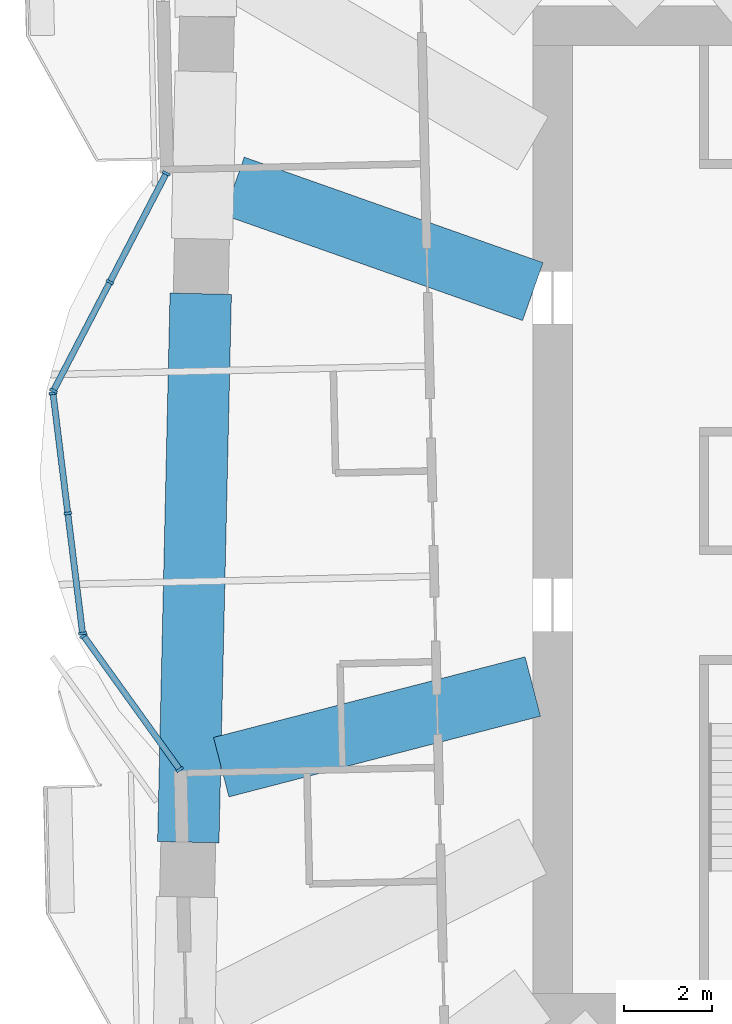
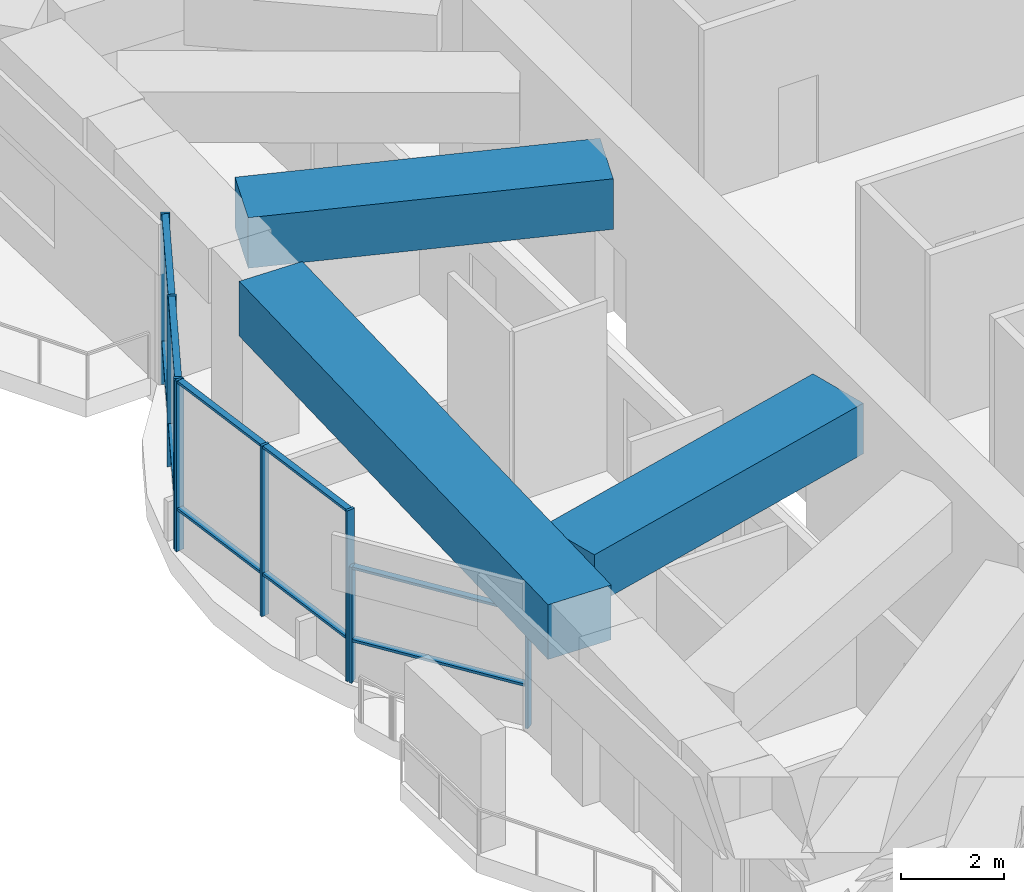
# One storey, part 2 of 17: 18 members, 3 beams, 3 elements without a shape of their own.
"""IFC4 building model written with IfcOpenShell, lengths in metres."""

from ifc_helpers import new_model, si_unit, direction, frame, origin, origin_2d, place, context, subcontext, project, spatial, rectangle, extrude, material, material_profile, profile_set, type_object, element, aggregate, save


model = new_model("IFC4")

# Units and contexts
model_context = context("Model", 3, precision=1e-05, world=origin(), true_north=direction((0.0, 1.0)))
body_context = subcontext(model_context, "Body", "Model", "MODEL_VIEW")
ifc_project = project(units=[si_unit("LENGTHUNIT", "METRE"), si_unit("AREAUNIT", "SQUARE_METRE"), si_unit("VOLUMEUNIT", "CUBIC_METRE"), si_unit("PLANEANGLEUNIT", "RADIAN"), si_unit("MASSUNIT", "GRAM", prefix="KILO")], contexts=[model_context])

# Site, building, storey
site_placement = place(None, origin())
site = spatial("IfcSite", under=ifc_project, at=site_placement, CompositionType="ELEMENT")
building_placement = place(site_placement, origin())
building = spatial("IfcBuilding", under=site, at=building_placement, Name="Mangrove Gate Tower", CompositionType="ELEMENT")
storey_placement = place(building_placement, frame((0.0, 0.0, 170.699951171875)))
storey = spatial("IfcBuildingStorey", under=building, at=storey_placement, Name="L43", CompositionType="ELEMENT", Elevation=170.699951171875)

# Curtain wall, members
ifc_material_1 = material(Name="Aluminium and glass curtain wall", Category="aluminium")
curtain_wall_type = type_object("IfcCurtainWallType", Name="Sky-lounge glazing wall", PredefinedType="NOTDEFINED", material=ifc_material_1)
curtain_wall_1_placement = place(storey_placement, origin())
curtain_wall_1 = element("IfcCurtainWall", 1, at=curtain_wall_1_placement, inside=storey, type_object=curtain_wall_type, Name="Sky-lounge glazing W9f1", PredefinedType="NOTDEFINED")
ifc_material_2 = material(Name="Aluminium alloy 6063-T6", Category="aluminium")
ifc_material_profile_1 = material_profile(ifc_material_2, rectangle(XDim=0.06005859375, YDim=0.179931640625, at=origin_2d()))
ifc_profile_set_1 = profile_set([ifc_material_profile_1], Name="Aluminium alloy 6063-T6")
member_type_1 = type_object("IfcMemberType", Name="Sky-lounge glazing mullion 60x180", PredefinedType="MULLION", material=ifc_profile_set_1)
member_1_placement = place(storey_placement, frame((-23.05224609375, 7.88671875, 0.0), z_axis=(0.0, 0.0, 1.0), x_axis=(-0.460628472605, -0.887593043137, 0.0)))
member_1 = element("IfcMember", 2, at=member_1_placement, type_object=member_type_1, Name="CWK mullion 1", PredefinedType="MULLION", context=body_context, shape_type="SweptSolid", body=[
    extrude(rectangle(XDim=0.06005859375, YDim=0.179931640625, at=origin_2d()), origin(), (0.0, 0.0, 1.0), 4.050048828125),
])
member_2_placement = place(storey_placement, frame((-24.337890625, 5.409423828125, 0.0), z_axis=(0.0, 0.0, 1.0), x_axis=(-0.460628472605, -0.887593043137, 0.0)))
member_2 = element("IfcMember", 3, at=member_2_placement, type_object=member_type_1, Name="CWK mullion 2", PredefinedType="MULLION", context=body_context, shape_type="SweptSolid", body=[
    extrude(rectangle(XDim=0.06005859375, YDim=0.179931640625, at=origin_2d()), origin(), (0.0, 0.0, 1.0), 4.050048828125),
])
member_3_placement = place(storey_placement, frame((-25.623291015625, 2.932373046875, 0.0), z_axis=(0.0, 0.0, 1.0), x_axis=(-0.460628472605, -0.887593043137, 0.0)))
member_3 = element("IfcMember", 4, at=member_3_placement, type_object=member_type_1, Name="CWK mullion 3", PredefinedType="MULLION", context=body_context, shape_type="SweptSolid", body=[
    extrude(rectangle(XDim=0.06005859375, YDim=0.179931640625, at=origin_2d()), origin(), (0.0, 0.0, 1.0), 4.050048828125),
])

curtain_wall_2_placement = place(storey_placement, origin())
curtain_wall_2 = element("IfcCurtainWall", 5, at=curtain_wall_2_placement, inside=storey, type_object=curtain_wall_type, Name="Sky-lounge glazing W9f2", PredefinedType="NOTDEFINED")
member_4_placement = place(storey_placement, frame((-25.633544921875, 2.8759765625, 0.0), z_axis=(0.0, 0.0, 1.0), x_axis=(0.122172286076, -0.992508908028, 0.0)))
member_4 = element("IfcMember", 6, at=member_4_placement, type_object=member_type_1, Name="CWK mullion 1", PredefinedType="MULLION", context=body_context, shape_type="SweptSolid", body=[
    extrude(rectangle(XDim=0.06005859375, YDim=0.179931640625, at=origin_2d()), origin(), (0.0, 0.0, 1.0), 4.050048828125),
])
member_5_placement = place(storey_placement, frame((-25.296630859375, 0.139892578125, 0.0), z_axis=(0.0, 0.0, 1.0), x_axis=(0.122172286076, -0.992508908028, 0.0)))
member_5 = element("IfcMember", 7, at=member_5_placement, type_object=member_type_1, Name="CWK mullion 2", PredefinedType="MULLION", context=body_context, shape_type="SweptSolid", body=[
    extrude(rectangle(XDim=0.06005859375, YDim=0.179931640625, at=origin_2d()), origin(), (0.0, 0.0, 1.0), 4.050048828125),
])
member_6_placement = place(storey_placement, frame((-24.9599609375, -2.59619140625, 0.0), z_axis=(0.0, 0.0, 1.0), x_axis=(0.122172286076, -0.992508908028, 0.0)))
member_6 = element("IfcMember", 8, at=member_6_placement, type_object=member_type_1, Name="CWK mullion 3", PredefinedType="MULLION", context=body_context, shape_type="SweptSolid", body=[
    extrude(rectangle(XDim=0.06005859375, YDim=0.179931640625, at=origin_2d()), origin(), (0.0, 0.0, 1.0), 4.050048828125),
])

curtain_wall_3_placement = place(storey_placement, origin())
curtain_wall_3 = element("IfcCurtainWall", 9, at=curtain_wall_3_placement, inside=storey, type_object=curtain_wall_type, Name="Sky-lounge glazing W9f3", PredefinedType="NOTDEFINED")
member_7_placement = place(storey_placement, frame((-24.938720703125, -2.650390625, 0.0), z_axis=(0.0, 0.0, 1.0), x_axis=(0.583670260779, -0.811990779925, 0.0)))
member_7 = element("IfcMember", 10, at=member_7_placement, type_object=member_type_1, Name="CWK mullion 1", PredefinedType="MULLION", context=body_context, shape_type="SweptSolid", body=[
    extrude(rectangle(XDim=0.06005859375, YDim=0.179931640625, at=origin_2d()), origin(), (0.0, 0.0, 1.0), 2.75),
])
member_8_placement = place(storey_placement, frame((-22.74658203125, -5.7001953125, 0.0), z_axis=(0.0, 0.0, 1.0), x_axis=(0.583670260779, -0.811990779925, 0.0)))
member_8 = element("IfcMember", 11, at=member_8_placement, type_object=member_type_1, Name="CWK mullion 2", PredefinedType="MULLION", context=body_context, shape_type="SweptSolid", body=[
    extrude(rectangle(XDim=0.06005859375, YDim=0.179931640625, at=origin_2d()), origin(), (0.0, 0.0, 1.0), 2.75),
])

# Member
ifc_material_3 = material(Name="Aluminium alloy 6063-T6", Category="aluminium")
ifc_material_profile_2 = material_profile(ifc_material_3, rectangle(XDim=0.06005859375, YDim=0.139892578125, at=origin_2d()))
ifc_profile_set_2 = profile_set([ifc_material_profile_2], Name="Aluminium alloy 6063-T6")
member_type_2 = type_object("IfcMemberType", Name="Sky-lounge glazing transom 60x140", PredefinedType="USERDEFINED", material=ifc_profile_set_2)
member_9_placement = place(storey_placement, frame((-23.066162109375, 7.860107421875, 1.0), z_axis=(-0.460609418104, -0.88760293147, 0.0), x_axis=(0.0, 0.0, 1.0)))
member_9 = element("IfcMember", 12, at=member_9_placement, type_object=member_type_2, Name="CWK transom 1.2", ObjectType="TRANSOM", PredefinedType="USERDEFINED", context=body_context, shape_type="SweptSolid", body=[
    extrude(rectangle(XDim=0.06005859375, YDim=0.139892578125, at=origin_2d()), origin(), (0.0, 0.0, 1.0), 2.730712890625),
])

member_10_placement = place(storey_placement, frame((-23.066162109375, 7.860107421875, 4.02001953125), z_axis=(-0.460609418104, -0.88760293147, 0.0), x_axis=(0.0, 0.0, 1.0)))
member_10 = element("IfcMember", 13, at=member_10_placement, type_object=member_type_2, Name="CWK transom 1.3", ObjectType="TRANSOM", PredefinedType="USERDEFINED", context=body_context, shape_type="SweptSolid", body=[
    extrude(rectangle(XDim=0.06005859375, YDim=0.139892578125, at=origin_2d()), origin(), (0.0, 0.0, 1.0), 2.730712890625),
])

member_11_placement = place(storey_placement, frame((-24.3515625, 5.3828125, 1.0), z_axis=(-0.460679849709, -0.887566378403, 0.0), x_axis=(0.0, 0.0, 1.0)))
member_11 = element("IfcMember", 14, at=member_11_placement, type_object=member_type_2, Name="CWK transom 2.2", ObjectType="TRANSOM", PredefinedType="USERDEFINED", context=body_context, shape_type="SweptSolid", body=[
    extrude(rectangle(XDim=0.06005859375, YDim=0.139892578125, at=origin_2d()), origin(), (0.0, 0.0, 1.0), 2.73095703125),
])

member_12_placement = place(storey_placement, frame((-24.3515625, 5.3828125, 4.02001953125), z_axis=(-0.460679849709, -0.887566378403, 0.0), x_axis=(0.0, 0.0, 1.0)))
member_12 = element("IfcMember", 15, at=member_12_placement, type_object=member_type_2, Name="CWK transom 2.3", ObjectType="TRANSOM", PredefinedType="USERDEFINED", context=body_context, shape_type="SweptSolid", body=[
    extrude(rectangle(XDim=0.06005859375, YDim=0.139892578125, at=origin_2d()), origin(), (0.0, 0.0, 1.0), 2.73095703125),
])

aggregate(curtain_wall_1, [member_1, member_2, member_3, member_9, member_10, member_11, member_12])

member_13_placement = place(storey_placement, frame((-25.6298828125, 2.84619140625, 1.0), z_axis=(0.122218313927, -0.992503241174, 0.0), x_axis=(0.0, 0.0, 1.0)))
member_13 = element("IfcMember", 16, at=member_13_placement, type_object=member_type_2, Name="CWK transom 1.2", ObjectType="TRANSOM", PredefinedType="USERDEFINED", context=body_context, shape_type="SweptSolid", body=[
    extrude(rectangle(XDim=0.06005859375, YDim=0.139892578125, at=origin_2d()), origin(), (0.0, 0.0, 1.0), 2.69677734375),
])

member_14_placement = place(storey_placement, frame((-25.6298828125, 2.84619140625, 4.02001953125), z_axis=(0.122218313927, -0.992503241174, 0.0), x_axis=(0.0, 0.0, 1.0)))
member_14 = element("IfcMember", 17, at=member_14_placement, type_object=member_type_2, Name="CWK transom 1.3", ObjectType="TRANSOM", PredefinedType="USERDEFINED", context=body_context, shape_type="SweptSolid", body=[
    extrude(rectangle(XDim=0.06005859375, YDim=0.139892578125, at=origin_2d()), origin(), (0.0, 0.0, 1.0), 2.69677734375),
])

member_15_placement = place(storey_placement, frame((-25.29296875, 0.110107421875, 1.0), z_axis=(0.122129132669, -0.992514219018, 0.0), x_axis=(0.0, 0.0, 1.0)))
member_15 = element("IfcMember", 18, at=member_15_placement, type_object=member_type_2, Name="CWK transom 2.2", ObjectType="TRANSOM", PredefinedType="USERDEFINED", context=body_context, shape_type="SweptSolid", body=[
    extrude(rectangle(XDim=0.06005859375, YDim=0.139892578125, at=origin_2d()), origin(), (0.0, 0.0, 1.0), 2.69677734375),
])

member_16_placement = place(storey_placement, frame((-25.29296875, 0.110107421875, 4.02001953125), z_axis=(0.122129132669, -0.992514219018, 0.0), x_axis=(0.0, 0.0, 1.0)))
member_16 = element("IfcMember", 19, at=member_16_placement, type_object=member_type_2, Name="CWK transom 2.3", ObjectType="TRANSOM", PredefinedType="USERDEFINED", context=body_context, shape_type="SweptSolid", body=[
    extrude(rectangle(XDim=0.06005859375, YDim=0.139892578125, at=origin_2d()), origin(), (0.0, 0.0, 1.0), 2.69677734375),
])

aggregate(curtain_wall_2, [member_4, member_5, member_6, member_13, member_14, member_15, member_16])

member_17_placement = place(storey_placement, frame((-24.921142578125, -2.674560546875, 1.0), z_axis=(0.583653741827, -0.812002653722, 0.0), x_axis=(0.0, 0.0, 1.0)))
member_17 = element("IfcMember", 20, at=member_17_placement, type_object=member_type_2, Name="CWK transom 1.2", ObjectType="TRANSOM", PredefinedType="USERDEFINED", context=body_context, shape_type="SweptSolid", body=[
    extrude(rectangle(XDim=0.06005859375, YDim=0.139892578125, at=origin_2d()), origin(), (0.0, 0.0, 1.0), 3.696044921875),
])

member_18_placement = place(storey_placement, frame((-24.921142578125, -2.674560546875, 2.719970703125), z_axis=(0.583653741827, -0.812002653722, 0.0), x_axis=(0.0, 0.0, 1.0)))
member_18 = element("IfcMember", 21, at=member_18_placement, type_object=member_type_2, Name="CWK transom 1.3", ObjectType="TRANSOM", PredefinedType="USERDEFINED", context=body_context, shape_type="SweptSolid", body=[
    extrude(rectangle(XDim=0.06005859375, YDim=0.139892578125, at=origin_2d()), origin(), (0.0, 0.0, 1.0), 3.696044921875),
])

aggregate(curtain_wall_3, [member_7, member_8, member_17, member_18])

# Beams
ifc_material_4 = material(Name="Concrete C60/75", Category="concrete")
ifc_material_profile_3 = material_profile(ifc_material_4, rectangle(XDim=1.39990234375, YDim=1.199951171875, at=origin_2d()))
ifc_profile_set_3 = profile_set([ifc_material_profile_3], Name="Concrete C60/75")
beam_type_1 = type_object("IfcBeamType", Name="Transfer girder RC 1400x1200 C60/75", PredefinedType="BEAM", material=ifc_profile_set_3)
beam_1_placement = place(storey_placement, frame((-14.699951171875, -3.806884765625, 3.449951171875), z_axis=(-0.96806784146, -0.25068836098, 0.0), x_axis=(0.25068836098, -0.96806784146, 0.0)))
element("IfcBeam", 22, at=beam_1_placement, inside=storey, type_object=beam_type_1, Name="Transfer girder L43 00", PredefinedType="BEAM", context=body_context, shape_type="SweptSolid", body=[
    extrude(rectangle(XDim=1.39990234375, YDim=1.199951171875, at=origin_2d()), origin(), (0.0, 0.0, 1.0), 7.334228515625),
])
beam_2_placement = place(storey_placement, frame((-14.699951171875, 5.19189453125, 3.449951171875), z_axis=(-0.942921024132, 0.3330164294, 0.0), x_axis=(-0.3330164294, -0.942921024132, 0.0)))
element("IfcBeam", 23, at=beam_2_placement, inside=storey, type_object=beam_type_1, Name="Transfer girder L43 29", PredefinedType="BEAM", context=body_context, shape_type="SweptSolid", body=[
    extrude(rectangle(XDim=1.39990234375, YDim=1.199951171875, at=origin_2d()), origin(), (0.0, 0.0, 1.0), 7.220458984375),
])
ifc_material_5 = material(Name="Concrete C60/75", Category="concrete")
ifc_material_profile_4 = material_profile(ifc_material_5, rectangle(XDim=1.39990234375, YDim=1.300048828125, at=origin_2d()))
ifc_profile_set_4 = profile_set([ifc_material_profile_4], Name="Concrete C60/75")
beam_type_2 = type_object("IfcBeamType", Name="Transfer girder RC 1400x1300 C60/75", PredefinedType="BEAM", material=ifc_profile_set_4)
beam_3_placement = place(storey_placement, frame((-22.267333984375, 5.14404296875, 3.400146484375), z_axis=(-0.02269257074, -0.999742490461, 0.0), x_axis=(0.999742490461, -0.02269257074, 0.0)))
element("IfcBeam", 24, at=beam_3_placement, inside=storey, type_object=beam_type_2, Name="Transfer ring girder L43 29", PredefinedType="BEAM", context=body_context, shape_type="SweptSolid", body=[
    extrude(rectangle(XDim=1.39990234375, YDim=1.300048828125, at=origin_2d()), origin(), (0.0, 0.0, 1.0), 12.50146484375),
])

save(model, "model.ifc")
